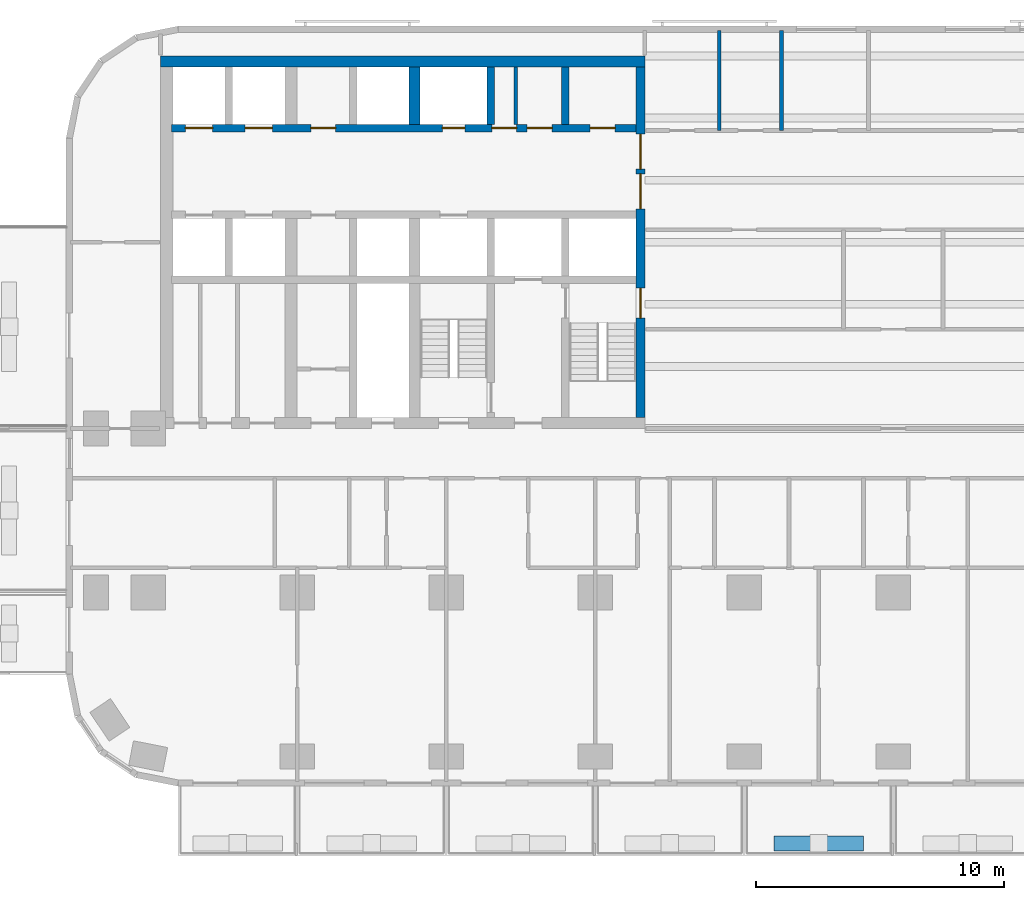
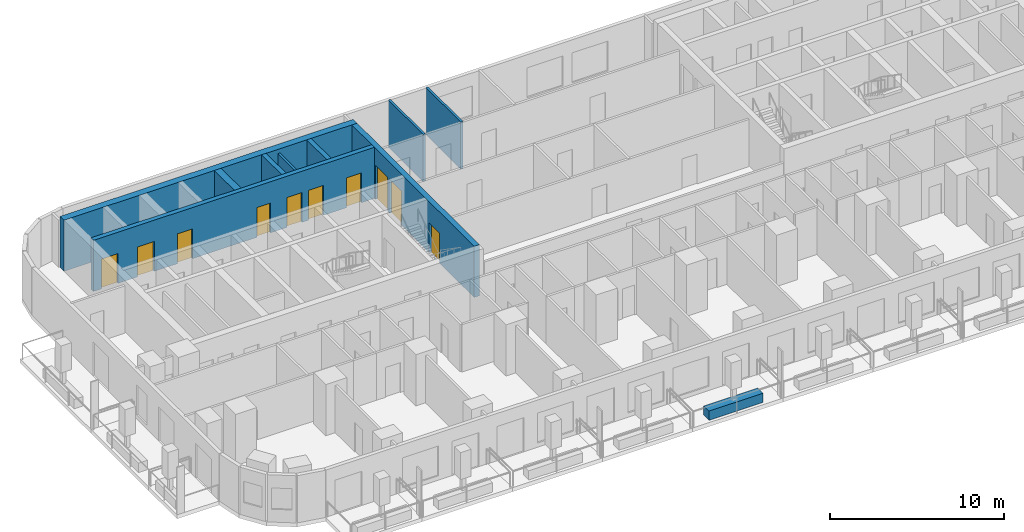
# One storey, part 4 of 15: 10 doors, 10 walls, 10 openings.
"""IFC4 building model written with IfcOpenShell, lengths in metres."""

from ifc_helpers import new_model, si_unit, direction, frame, frame_2d, origin, place, context, subcontext, project, spatial, rectangle, extrude, material, layer, layer_set, type_object, element, fill, save


model = new_model("IFC4")

# Units and contexts
model_context = context("Model", 3, precision=1e-05, world=origin(), true_north=direction((0.0, 1.0)))
body_context = subcontext(model_context, "Body", "Model", "MODEL_VIEW")
ifc_project = project(units=[si_unit("LENGTHUNIT", "METRE"), si_unit("AREAUNIT", "SQUARE_METRE"), si_unit("VOLUMEUNIT", "CUBIC_METRE"), si_unit("PLANEANGLEUNIT", "RADIAN"), si_unit("MASSUNIT", "GRAM", prefix="KILO")], contexts=[model_context])

# Site, building, storey
site_placement = place(None, origin())
site = spatial("IfcSite", under=ifc_project, at=site_placement, CompositionType="ELEMENT")
building_placement = place(site_placement, origin())
building = spatial("IfcBuilding", under=site, at=building_placement, Name="Torana Hotel and Residences", CompositionType="ELEMENT")
storey_placement = place(building_placement, frame((0.0, 0.0, 88.800048828125)))
storey = spatial("IfcBuildingStorey", under=building, at=storey_placement, Name="L22", CompositionType="ELEMENT", Elevation=88.800048828125)

# Wall, openings, doors
ifc_material_1 = material(Name="Concrete C80/95", Category="concrete")
ifc_layer_1 = layer(ifc_material_1, 0.300048828125)
ifc_layer_set_1 = layer_set([ifc_layer_1], Name="CORE WALL 300 C80/95")
wall_type_1 = type_object("IfcWallType", Name="CORE WALL 300 C80/95", PredefinedType="SHEAR", material=ifc_layer_set_1)
wall_1_placement = place(storey_placement, frame((-29.050048828125, -2.89990234375, 0.0), z_axis=(0.0, 0.0, 1.0), x_axis=(1.0, 0.0, 0.0)))
wall_1 = element("IfcWall", 1, at=wall_1_placement, inside=storey, type_object=wall_type_1, Name="Core wall W row-N", PredefinedType="SHEAR", context=body_context, shape_type="SweptSolid", body=[
    extrude(rectangle(XDim=18.699951171875, YDim=0.300048828125, at=frame_2d((9.35009765625, 0.0))), origin(), (0.0, 0.0, 1.0), 3.599853515625),
])
opening_1_placement = place(wall_1_placement, frame((2.949951171875, 0.0, 0.0)))
opening_1 = element("IfcOpeningElement", 2, at=opening_1_placement, cuts=wall_1, Name="Opening LD", PredefinedType="OPENING", context=body_context, shape_type="SweptSolid", body=[
    extrude(rectangle(XDim=1.10009765625, YDim=2.10009765625, at=frame_2d((0.550048828125, 1.050048828125))), frame((0.0, 0.159912109375, 0.0), z_axis=(0.0, -1.0, 0.0), x_axis=(1.0, 0.0, 0.0)), (0.0, 0.0, 1.0), 0.320068359375),
])
opening_2_placement = place(wall_1_placement, frame((0.550048828125, 0.0, 0.0)))
opening_2 = element("IfcOpeningElement", 3, at=opening_2_placement, cuts=wall_1, Name="Opening LD", PredefinedType="OPENING", context=body_context, shape_type="SweptSolid", body=[
    extrude(rectangle(XDim=1.10009765625, YDim=2.10009765625, at=frame_2d((0.550048828125, 1.050048828125))), frame((0.0, 0.159912109375, 0.0), z_axis=(0.0, -1.0, 0.0), x_axis=(1.0, 0.0, 0.0)), (0.0, 0.0, 1.0), 0.320068359375),
])
opening_3_placement = place(wall_1_placement, frame((10.89990234375, 0.0, 0.0)))
opening_3 = element("IfcOpeningElement", 4, at=opening_3_placement, cuts=wall_1, Name="Opening L22-11", PredefinedType="OPENING", context=body_context, shape_type="SweptSolid", body=[
    extrude(rectangle(XDim=0.89990234375, YDim=2.10009765625, at=frame_2d((0.449951171875, 1.050048828125))), frame((0.0, 0.159912109375, 0.0), z_axis=(0.0, -1.0, 0.0), x_axis=(1.0, 0.0, 0.0)), (0.0, 0.0, 1.0), 0.320068359375),
])
opening_4_placement = place(wall_1_placement, frame((16.85009765625, 0.0, 0.0)))
opening_4 = element("IfcOpeningElement", 5, at=opening_4_placement, cuts=wall_1, Name="Opening L22-12", PredefinedType="OPENING", context=body_context, shape_type="SweptSolid", body=[
    extrude(rectangle(XDim=1.0, YDim=2.10009765625, at=frame_2d((0.5, 1.050048828125))), frame((0.0, 0.159912109375, 0.0), z_axis=(0.0, -1.0, 0.0), x_axis=(1.0, 0.0, 0.0)), (0.0, 0.0, 1.0), 0.320068359375),
])
opening_5_placement = place(wall_1_placement, frame((14.3125, 0.0, 0.0)))
opening_5 = element("IfcOpeningElement", 6, at=opening_5_placement, cuts=wall_1, Name="Opening L22-13", PredefinedType="OPENING", context=body_context, shape_type="SweptSolid", body=[
    extrude(rectangle(XDim=1.0, YDim=2.10009765625, at=frame_2d((0.5, 1.050048828125))), frame((0.0, 0.159912109375, 0.0), z_axis=(0.0, -1.0, 0.0), x_axis=(1.0, 0.0, 0.0)), (0.0, 0.0, 1.0), 0.320068359375),
])
opening_6_placement = place(wall_1_placement, frame((12.887451171875, 0.0, 0.0)))
opening_6 = element("IfcOpeningElement", 7, at=opening_6_placement, cuts=wall_1, Name="Opening L22-14", PredefinedType="OPENING", context=body_context, shape_type="SweptSolid", body=[
    extrude(rectangle(XDim=1.0, YDim=2.10009765625, at=frame_2d((0.5, 1.050048828125))), frame((0.0, 0.159912109375, 0.0), z_axis=(0.0, -1.0, 0.0), x_axis=(1.0, 0.0, 0.0)), (0.0, 0.0, 1.0), 0.320068359375),
])
opening_7_placement = place(wall_1_placement, frame((5.60009765625, 0.0, 0.0)))
opening_7 = element("IfcOpeningElement", 8, at=opening_7_placement, cuts=wall_1, Name="Opening L22-15", PredefinedType="OPENING", context=body_context, shape_type="SweptSolid", body=[
    extrude(rectangle(XDim=1.0, YDim=2.10009765625, at=frame_2d((0.5, 1.050048828125))), frame((0.0, 0.159912109375, 0.0), z_axis=(0.0, -1.0, 0.0), x_axis=(1.0, 0.0, 0.0)), (0.0, 0.0, 1.0), 0.320068359375),
])
ifc_material_2 = material(Name="Steel S235", Category="steel")
door_type_1 = type_object("IfcDoorType", Name="CORE ROOM FIRE DOOR D14 1000x2100", OperationType="SINGLE_SWING_LEFT", PredefinedType="DOOR", material=ifc_material_2)
door_1_placement = place(opening_4_placement, origin())
door_1 = element("IfcDoor", 9, at=door_1_placement, inside=storey, type_object=door_type_1, Name="N0 door L22", OperationType="SINGLE_SWING_RIGHT", OverallHeight=2.10009765625, OverallWidth=1.0, PredefinedType="DOOR", context=body_context, shape_type="SweptSolid", body=[
    extrude(rectangle(XDim=1.0, YDim=2.10009765625, at=frame_2d((0.5, 1.050048828125))), frame((0.0, 0.02490234375, 0.0), z_axis=(0.0, -1.0, 0.0), x_axis=(1.0, 0.0, 0.0)), (0.0, 0.0, 1.0), 0.050048828125),
])
fill(opening_4, door_1)
door_2_placement = place(opening_5_placement, origin())
door_2 = element("IfcDoor", 10, at=door_2_placement, inside=storey, type_object=door_type_1, Name="N1A door L22", OperationType="SINGLE_SWING_RIGHT", OverallHeight=2.10009765625, OverallWidth=1.0, PredefinedType="DOOR", context=body_context, shape_type="SweptSolid", body=[
    extrude(rectangle(XDim=1.0, YDim=2.10009765625, at=frame_2d((0.5, 1.050048828125))), frame((0.0, 0.02490234375, 0.0), z_axis=(0.0, -1.0, 0.0), x_axis=(1.0, 0.0, 0.0)), (0.0, 0.0, 1.0), 0.050048828125),
])
fill(opening_5, door_2)
door_3_placement = place(opening_6_placement, origin())
door_3 = element("IfcDoor", 11, at=door_3_placement, inside=storey, type_object=door_type_1, Name="N1B door L22", OperationType="SINGLE_SWING_RIGHT", OverallHeight=2.10009765625, OverallWidth=1.0, PredefinedType="DOOR", context=body_context, shape_type="SweptSolid", body=[
    extrude(rectangle(XDim=1.0, YDim=2.10009765625, at=frame_2d((0.5, 1.050048828125))), frame((0.0, 0.02490234375, 0.0), z_axis=(0.0, -1.0, 0.0), x_axis=(1.0, 0.0, 0.0)), (0.0, 0.0, 1.0), 0.050048828125),
])
fill(opening_6, door_3)
door_4_placement = place(opening_7_placement, origin())
door_4 = element("IfcDoor", 12, at=door_4_placement, inside=storey, type_object=door_type_1, Name="Free-M1 door L22", OperationType="SINGLE_SWING_RIGHT", OverallHeight=2.10009765625, OverallWidth=1.0, PredefinedType="DOOR", context=body_context, shape_type="SweptSolid", body=[
    extrude(rectangle(XDim=1.0, YDim=2.10009765625, at=frame_2d((0.5, 1.050048828125))), frame((0.0, 0.02490234375, 0.0), z_axis=(0.0, -1.0, 0.0), x_axis=(1.0, 0.0, 0.0)), (0.0, 0.0, 1.0), 0.050048828125),
])
fill(opening_7, door_4)
ifc_material_3 = material(Name="Stainless steel 316", Category="steel")
door_type_2 = type_object("IfcDoorType", Name="LIFT LANDING DOOR LD 1100x2100", OperationType="DOUBLE_DOOR_SLIDING", PredefinedType="USERDEFINED", material=ifc_material_3)
door_5_placement = place(opening_1_placement, origin())
door_5 = element("IfcDoor", 13, at=door_5_placement, inside=storey, type_object=door_type_2, Name="Lift landing door L1 L22", ObjectType="LIFT LANDING DOOR", OperationType="DOUBLE_DOOR_SLIDING", OverallHeight=2.10009765625, OverallWidth=1.10009765625, PredefinedType="USERDEFINED", context=body_context, shape_type="SweptSolid", body=[
    extrude(rectangle(XDim=1.10009765625, YDim=2.10009765625, at=frame_2d((0.550048828125, 1.050048828125))), frame((0.0, 0.02490234375, 0.0), z_axis=(0.0, -1.0, 0.0), x_axis=(1.0, 0.0, 0.0)), (0.0, 0.0, 1.0), 0.050048828125),
])
fill(opening_1, door_5)
door_6_placement = place(opening_2_placement, origin())
door_6 = element("IfcDoor", 14, at=door_6_placement, inside=storey, type_object=door_type_2, Name="Lift landing door L2 L22", ObjectType="LIFT LANDING DOOR", OperationType="DOUBLE_DOOR_SLIDING", OverallHeight=2.10009765625, OverallWidth=1.10009765625, PredefinedType="USERDEFINED", context=body_context, shape_type="SweptSolid", body=[
    extrude(rectangle(XDim=1.10009765625, YDim=2.10009765625, at=frame_2d((0.550048828125, 1.050048828125))), frame((0.0, 0.02490234375, 0.0), z_axis=(0.0, -1.0, 0.0), x_axis=(1.0, 0.0, 0.0)), (0.0, 0.0, 1.0), 0.050048828125),
])
fill(opening_2, door_6)
ifc_material_4 = material(Name="Steel S235", Category="steel")
door_type_3 = type_object("IfcDoorType", Name="RISER ACCESS DOOR D5 900x2100", OperationType="SINGLE_SWING_LEFT", PredefinedType="DOOR", material=ifc_material_4)
door_7_placement = place(opening_3_placement, origin())
door_7 = element("IfcDoor", 15, at=door_7_placement, inside=storey, type_object=door_type_3, Name="N2 door L22", OperationType="SINGLE_SWING_RIGHT", OverallHeight=2.10009765625, OverallWidth=0.89990234375, PredefinedType="DOOR", context=body_context, shape_type="SweptSolid", body=[
    extrude(rectangle(XDim=0.89990234375, YDim=2.10009765625, at=frame_2d((0.449951171875, 1.050048828125))), frame((0.0, 0.02490234375, 0.0), z_axis=(0.0, -1.0, 0.0), x_axis=(1.0, 0.0, 0.0)), (0.0, 0.0, 1.0), 0.050048828125),
])
fill(opening_3, door_7)

# Walls
for number, where, z_axis, x_axis, name in (
    (16, (-13.199951171875, -2.75, 0.0), (0.0, 0.0, 1.0), (0.0, 1.0, 0.0), "Core wall W x3.05-N"),
    (17, (-16.199951171875, -2.75, 0.0), (0.0, 0.0, 1.0), (0.0, 1.0, 0.0), "Core wall W x6.05-N"),
):
    element("IfcWall", number, at=place(storey_placement, frame(where, z_axis=z_axis, x_axis=x_axis)), inside=storey, type_object=wall_type_1, Name=name, PredefinedType="SHEAR", context=body_context, shape_type="SweptSolid", body=[
        extrude(rectangle(XDim=2.300048828125, YDim=0.300048828125, at=frame_2d((1.14990234375, 0.0))), origin(), (0.0, 0.0, 1.0), 3.599853515625),
    ])

# Wall, openings, doors
ifc_material_5 = material(Name="Concrete C80/95", Category="concrete")
ifc_layer_2 = layer(ifc_material_5, 0.35009765625)
ifc_layer_set_2 = layer_set([ifc_layer_2], Name="CORE WALL 350 C80/95")
wall_type_2 = type_object("IfcWallType", Name="CORE WALL 350 C80/95", PredefinedType="SHEAR", material=ifc_layer_set_2)
wall_2_placement = place(storey_placement, frame((-10.175048828125, -14.550048828125, 0.0), z_axis=(0.0, 0.0, 1.0), x_axis=(0.0, 1.0, 0.0)))
wall_2 = element("IfcWall", 18, at=wall_2_placement, inside=storey, type_object=wall_type_2, Name="Core wall W arch", PredefinedType="SHEAR", context=body_context, shape_type="SweptSolid", body=[
    extrude(rectangle(XDim=14.10009765625, YDim=0.35009765625, at=frame_2d((7.050048828125, 0.0))), origin(), (0.0, 0.0, 1.0), 3.599853515625),
])
opening_8_placement = place(wall_2_placement, frame((8.39990234375, 0.0, 0.0)))
opening_8 = element("IfcOpeningElement", 19, at=opening_8_placement, cuts=wall_2, Name="Opening L22-01", PredefinedType="OPENING", context=body_context, shape_type="SweptSolid", body=[
    extrude(rectangle(XDim=1.39990234375, YDim=2.39990234375, at=frame_2d((0.699951171875, 1.199951171875))), frame((0.0, 0.18505859375, 0.0), z_axis=(0.0, -1.0, 0.0), x_axis=(1.0, 0.0, 0.0)), (0.0, 0.0, 1.0), 0.3701171875),
])
opening_9_placement = place(wall_2_placement, frame((10.0, 0.0, 0.0)))
opening_9 = element("IfcOpeningElement", 20, at=opening_9_placement, cuts=wall_2, Name="Opening L22-02", PredefinedType="OPENING", context=body_context, shape_type="SweptSolid", body=[
    extrude(rectangle(XDim=1.39990234375, YDim=2.39990234375, at=frame_2d((0.699951171875, 1.199951171875))), frame((0.0, 0.18505859375, 0.0), z_axis=(0.0, -1.0, 0.0), x_axis=(1.0, 0.0, 0.0)), (0.0, 0.0, 1.0), 0.3701171875),
])
opening_10_placement = place(wall_2_placement, frame((4.0, 0.0, 0.0)))
opening_10 = element("IfcOpeningElement", 21, at=opening_10_placement, cuts=wall_2, Name="Opening L22-03", PredefinedType="OPENING", context=body_context, shape_type="SweptSolid", body=[
    extrude(rectangle(XDim=1.199951171875, YDim=2.10009765625, at=frame_2d((0.60009765625, 1.050048828125))), frame((0.0, 0.18505859375, 0.0), z_axis=(0.0, -1.0, 0.0), x_axis=(1.0, 0.0, 0.0)), (0.0, 0.0, 1.0), 0.3701171875),
])
ifc_material_6 = material(Name="Steel S235", Category="steel")
door_type_4 = type_object("IfcDoorType", Name="LOBBY FIRE DOOR D4 1400x2400", OperationType="DOUBLE_DOOR_SINGLE_SWING", PredefinedType="DOOR", material=ifc_material_6)
door_8_placement = place(opening_8_placement, origin())
door_8 = element("IfcDoor", 22, at=door_8_placement, inside=storey, type_object=door_type_4, Name="Lobby-1 door L22", OperationType="DOUBLE_DOOR_SINGLE_SWING", OverallHeight=2.39990234375, OverallWidth=1.39990234375, PredefinedType="DOOR", context=body_context, shape_type="SweptSolid", body=[
    extrude(rectangle(XDim=1.39990234375, YDim=2.39990234375, at=frame_2d((0.699951171875, 1.199951171875))), frame((0.0, 0.02490234375, 0.0), z_axis=(0.0, -1.0, 0.0), x_axis=(1.0, 0.0, 0.0)), (0.0, 0.0, 1.0), 0.050048828125),
])
fill(opening_8, door_8)
door_9_placement = place(opening_9_placement, origin())
door_9 = element("IfcDoor", 23, at=door_9_placement, inside=storey, type_object=door_type_4, Name="Lobby-2 door L22", OperationType="DOUBLE_DOOR_SINGLE_SWING", OverallHeight=2.39990234375, OverallWidth=1.39990234375, PredefinedType="DOOR", context=body_context, shape_type="SweptSolid", body=[
    extrude(rectangle(XDim=1.39990234375, YDim=2.39990234375, at=frame_2d((0.699951171875, 1.199951171875))), frame((0.0, 0.02490234375, 0.0), z_axis=(0.0, -1.0, 0.0), x_axis=(1.0, 0.0, 0.0)), (0.0, 0.0, 1.0), 0.050048828125),
])
fill(opening_9, door_9)
ifc_material_7 = material(Name="Steel S235", Category="steel")
door_type_5 = type_object("IfcDoorType", Name="STAIR FIRE DOOR D3 1200x2100", OperationType="SINGLE_SWING_LEFT", PredefinedType="DOOR", material=ifc_material_7)
door_10_placement = place(opening_10_placement, origin())
door_10 = element("IfcDoor", 24, at=door_10_placement, inside=storey, type_object=door_type_5, Name="Stair-A door L22", OperationType="SINGLE_SWING_LEFT", OverallHeight=2.10009765625, OverallWidth=1.199951171875, PredefinedType="DOOR", context=body_context, shape_type="SweptSolid", body=[
    extrude(rectangle(XDim=1.199951171875, YDim=2.10009765625, at=frame_2d((0.60009765625, 1.050048828125))), frame((0.0, 0.02490234375, 0.0), z_axis=(0.0, -1.0, 0.0), x_axis=(1.0, 0.0, 0.0)), (0.0, 0.0, 1.0), 0.050048828125),
])
fill(opening_10, door_10)

# Walls
ifc_material_8 = material(Name="Concrete C80/95", Category="concrete")
ifc_layer_3 = layer(ifc_material_8, 0.449951171875)
ifc_layer_set_3 = layer_set([ifc_layer_3], Name="CORE WALL 450 C80/95")
wall_type_3 = type_object("IfcWallType", Name="CORE WALL 450 C80/95", PredefinedType="SHEAR", material=ifc_layer_set_3)
wall_3_placement = place(storey_placement, frame((-29.5, -0.22509765625, 0.0), z_axis=(0.0, 0.0, 1.0), x_axis=(1.0, 0.0, 0.0)))
element("IfcWall", 25, at=wall_3_placement, inside=storey, type_object=wall_type_3, Name="Core wall W rear", PredefinedType="SHEAR", context=body_context, shape_type="SweptSolid", body=[
    extrude(rectangle(XDim=19.5, YDim=0.449951171875, at=frame_2d((9.75, 0.0))), origin(), (0.0, 0.0, 1.0), 3.599853515625),
])
wall_4_placement = place(storey_placement, frame((-19.27490234375, -2.75, 0.0), z_axis=(0.0, 0.0, 1.0), x_axis=(0.0, 1.0, 0.0)))
element("IfcWall", 26, at=wall_4_placement, inside=storey, type_object=wall_type_3, Name="Core wall W hm-N", PredefinedType="SHEAR", context=body_context, shape_type="SweptSolid", body=[
    extrude(rectangle(XDim=2.300048828125, YDim=0.449951171875, at=frame_2d((1.14990234375, 0.0))), origin(), (0.0, 0.0, 1.0), 3.599853515625),
])
ifc_material_9 = material(Name="Gypsum plaster")
ifc_layer_4 = layer(ifc_material_9, 0.014892578125, Name="Plaster", Category="finish")
ifc_material_10 = material(Name="Concrete blockwork", Category="masonry")
ifc_layer_5 = layer(ifc_material_10, 0.1201171875, Name="Blockwork", Category="structure")
ifc_layer_6 = layer(ifc_material_9, 0.014892578125, Name="Plaster", Category="finish")
ifc_layer_set_4 = layer_set([ifc_layer_4, ifc_layer_5, ifc_layer_6], Name="FIRE PARTITION 150 BLOCKWORK")
wall_type_4 = type_object("IfcWallType", Name="FIRE PARTITION 150 BLOCKWORK", PredefinedType="PARTITIONING", material=ifc_layer_set_4)
wall_5_placement = place(storey_placement, frame((-15.199951171875, -2.75, 0.0), z_axis=(0.0, 0.0, 1.0), x_axis=(0.0, 1.0, 0.0)))
element("IfcWall", 27, at=wall_5_placement, inside=storey, type_object=wall_type_4, Name="Core partition L22", PredefinedType="PARTITIONING", context=body_context, shape_type="SweptSolid", body=[
    extrude(rectangle(XDim=2.300048828125, YDim=0.14990234375, at=frame_2d((1.14990234375, 0.0))), origin(), (0.0, 0.0, 1.0), 3.300048828125),
])
ifc_material_11 = material(Name="Concrete C40/50 precast", Category="concrete")
ifc_layer_7 = layer(ifc_material_11, 0.10009765625, Name="Planter shell", Category="structure")
ifc_material_12 = material(Name="Root resistant membrane")
ifc_layer_8 = layer(ifc_material_12, 0.00390625, Name="Waterproofing membrane", Category="membrane")
ifc_material_13 = material(Name="Drainage board with filter fleece")
ifc_layer_9 = layer(ifc_material_13, 0.02001953125, Name="Drainage board", Category="drainage")
ifc_material_14 = material(Name="Growing medium")
ifc_layer_10 = layer(ifc_material_14, 0.47607421875, Name="Planting substrate", Category="soil")
ifc_layer_set_5 = layer_set([ifc_layer_7, ifc_layer_8, ifc_layer_9, ifc_layer_10], Name="PL1 BALCONY PLANTER 600")
wall_type_5 = type_object("IfcWallType", Name="PL1 BALCONY PLANTER 600", PredefinedType="USERDEFINED", material=ifc_layer_set_5)
wall_6_placement = place(storey_placement, frame((-1.199951171875, -31.699951171875, 0.0), z_axis=(0.0, 0.0, 1.0), x_axis=(-1.0, 0.0, 0.0)))
element("IfcWall", 28, at=wall_6_placement, inside=storey, type_object=wall_type_5, Name="Planter 05", ObjectType="PLANTER", PredefinedType="USERDEFINED", context=body_context, shape_type="SweptSolid", body=[
    extrude(rectangle(XDim=3.60009765625, YDim=0.60009765625, at=frame_2d((1.800048828125, 0.0))), origin(), (0.0, 0.0, 1.0), 0.64990234375),
])
ifc_material_15 = material(Name="Ceramic tile on adhesive")
ifc_layer_11 = layer(ifc_material_15, 0.010009765625, Name="Wall tile", Category="finish")
ifc_material_16 = material(Name="Cement render")
ifc_layer_12 = layer(ifc_material_16, 0.010009765625, Name="Render", Category="finish")
ifc_layer_13 = layer(ifc_material_10, 0.110107421875, Name="Blockwork", Category="structure")
ifc_layer_14 = layer(ifc_material_16, 0.010009765625, Name="Render", Category="finish")
ifc_layer_15 = layer(ifc_material_15, 0.010009765625, Name="Wall tile", Category="finish")
ifc_layer_set_6 = layer_set([ifc_layer_11, ifc_layer_12, ifc_layer_13, ifc_layer_14, ifc_layer_15], Name="WC PARTITION 150")
wall_type_6 = type_object("IfcWallType", Name="WC PARTITION 150", PredefinedType="PLUMBINGWALL", material=ifc_layer_set_6)
for number, where, z_axis, x_axis, name in (
    (29, (-4.5, -3.0, 0.0), (0.0, 0.0, 1.0), (0.0, 1.0, 0.0), "Partition L22"),
    (30, (-7.0, -3.0, 0.0), (0.0, 0.0, 1.0), (0.0, 1.0, 0.0), "Partition L22"),
):
    element("IfcWall", number, at=place(storey_placement, frame(where, z_axis=z_axis, x_axis=x_axis)), inside=storey, type_object=wall_type_6, Name=name, PredefinedType="PLUMBINGWALL", context=body_context, shape_type="SweptSolid", body=[
        extrude(rectangle(XDim=4.02001953125, YDim=0.14990234375, at=frame_2d((2.010009765625, 0.0))), origin(), (0.0, 0.0, 1.0), 3.320068359375),
    ])

save(model, "model.ifc")
